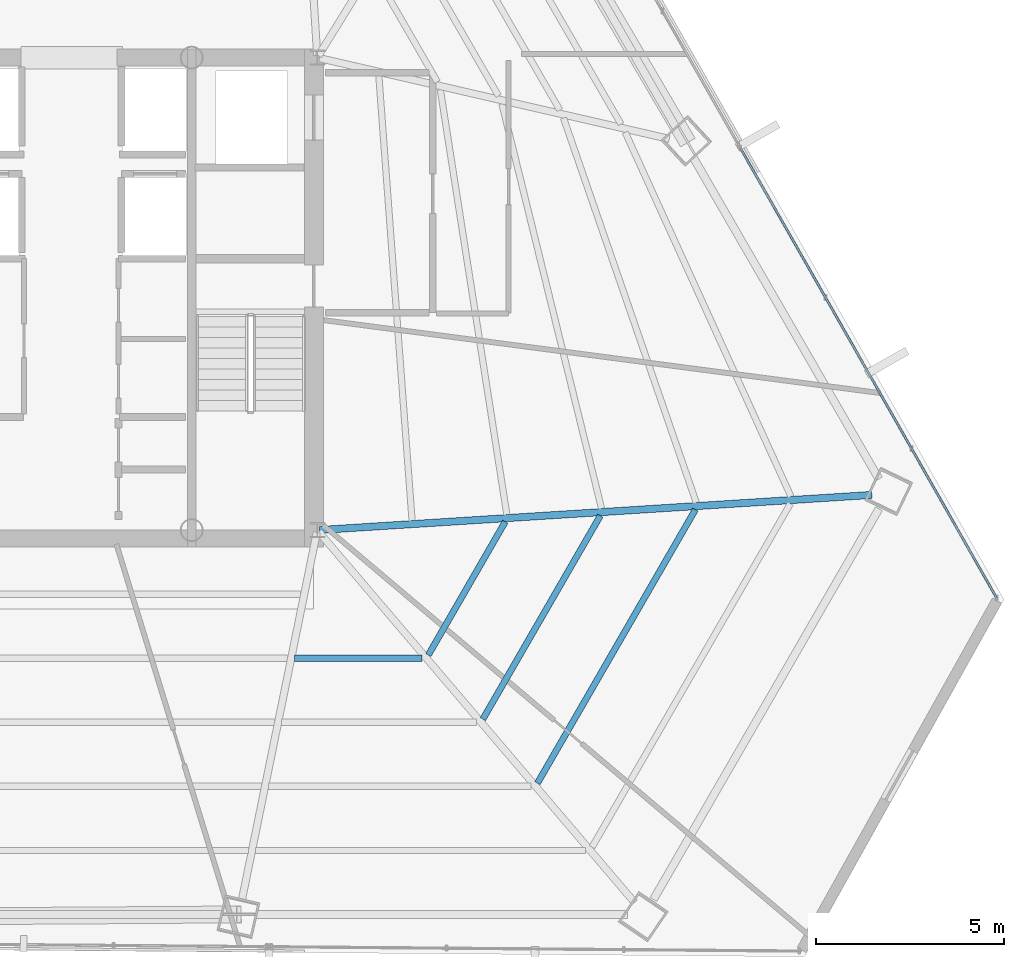
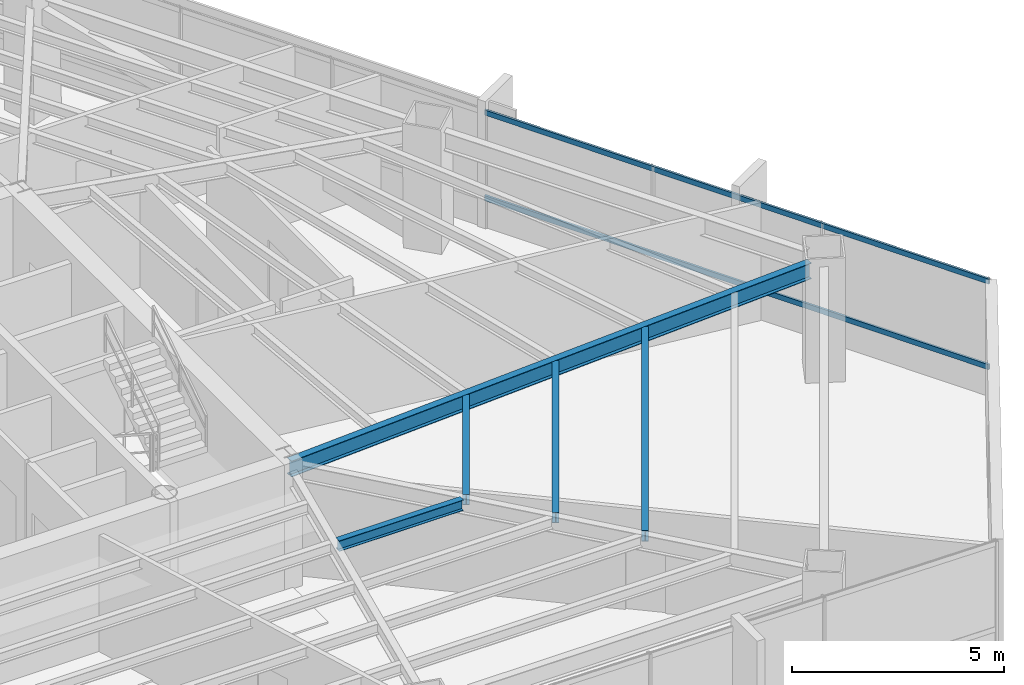
# One storey, part 20 of 39: 5 beams, 2 members, 1 element without a shape of its own.
"""IFC4 building model written with IfcOpenShell, lengths in metres."""

import ifcopenshell
import ifcopenshell.guid

model = None  # the IFC model being written
_history = None  # IfcOwnerHistory: only IFC2X3 demands one
_inside = {}  # id of a spatial element -> (the spatial element, [elements in it])
_under = {}  # id of a project, library or spatial element -> (it, [spatial elements below it])
_declared = {}  # id of a project -> (the project, [libraries it declares])
_typed = {}  # id of a type object -> (the type object, [elements of that type])
_made_of = {}  # id of a material, layer set ... -> (it, [elements and type objects made of it])


def new_model(schema):
    """Start an empty IFC model of exactly this schema.

    Asked for "IFC4X3", IfcOpenShell would pick the latest addendum, in which some entities
    have other attributes; the version numbers below select the first issue.
    IFC2X3 requires an IfcOwnerHistory on every rooted entity: one is made here for all.
    """
    global model, _history
    if schema == "IFC4X3":
        model = ifcopenshell.file(schema_version=(4, 3, 0, 0))
    else:
        model = ifcopenshell.file(schema=schema)
    _inside.clear()
    _under.clear()
    _declared.clear()
    _typed.clear()
    _made_of.clear()
    _history = None
    if model.schema == "IFC2X3":
        org = make("IfcOrganization", Name="unknown")
        user = make(
            "IfcPersonAndOrganization",
            ThePerson=make("IfcPerson", FamilyName="unknown"),
            TheOrganization=org,
        )
        app = make(
            "IfcApplication",
            ApplicationDeveloper=org,
            Version="unknown",
            ApplicationFullName="unknown",
            ApplicationIdentifier="unknown",
        )
        _history = make(
            "IfcOwnerHistory",
            OwningUser=user,
            OwningApplication=app,
            ChangeAction="ADDED",
            CreationDate=0,
        )
    return model


def make(cls, **values):
    """One entity of the class cls with the attributes given. An attribute that is None is left unset."""
    return model.create_entity(
        cls, **{name: value for name, value in values.items() if value is not None}
    )


def rooted(cls, **values):
    """An entity with a GlobalId (a new one), such as an element, a storey or a relation."""
    return make(cls, GlobalId=ifcopenshell.guid.new(), OwnerHistory=_history, **values)


def si_unit(unit_type, name, prefix=None):
    """IfcSIUnit, for example si_unit("LENGTHUNIT", "METRE", prefix="MILLI")."""
    return make("IfcSIUnit", UnitType=unit_type, Prefix=prefix, Name=name)


def assignment(units):
    """IfcUnitAssignment: the units of a project."""
    return None if units is None else make("IfcUnitAssignment", Units=units)


def point(xyz):
    """IfcCartesianPoint."""
    return None if xyz is None else make("IfcCartesianPoint", Coordinates=xyz)


def direction(xyz):
    """IfcDirection."""
    return None if xyz is None else make("IfcDirection", DirectionRatios=xyz)


def frame(location, z_axis=None, x_axis=None):
    """IfcAxis2Placement3D, a coordinate frame: its origin and axes. An axis left out is left unset."""
    return make(
        "IfcAxis2Placement3D",
        Location=point(location),
        Axis=direction(z_axis),
        RefDirection=direction(x_axis),
    )


def frame_2d(location, x_axis=None):
    """IfcAxis2Placement2D, a coordinate frame in the plane: its origin and x axis."""
    return make(
        "IfcAxis2Placement2D", Location=point(location), RefDirection=direction(x_axis)
    )


def origin():
    """The frame at (0, 0, 0) with its axes left unset."""
    return frame((0.0, 0.0, 0.0))


def origin_2d():
    """The frame at (0, 0) in the plane with its x axis left unset."""
    return frame_2d((0.0, 0.0))


def place(relative_to, where):
    """IfcLocalPlacement: puts the frame where relative to a parent placement (None: the world)."""
    return make(
        "IfcLocalPlacement", PlacementRelTo=relative_to, RelativePlacement=where
    )


def context(
    kind, dimensions, precision=None, world=None, true_north=None, identifier=None
):
    """IfcGeometricRepresentationContext, for example the 3D "Model" context."""
    return make(
        "IfcGeometricRepresentationContext",
        ContextIdentifier=identifier,
        ContextType=kind,
        CoordinateSpaceDimension=dimensions,
        Precision=precision,
        WorldCoordinateSystem=world,
        TrueNorth=true_north,
    )


def subcontext(parent, identifier, kind, view, scale=None):
    """IfcGeometricRepresentationSubContext, for example "Body" below "Model"."""
    return make(
        "IfcGeometricRepresentationSubContext",
        ContextIdentifier=identifier,
        ContextType=kind,
        ParentContext=parent,
        TargetScale=scale,
        TargetView=view,
    )


def project(units=None, contexts=None):
    """IfcProject with its units and contexts."""
    return rooted(
        "IfcProject",
        Name="project",
        RepresentationContexts=contexts,
        UnitsInContext=assignment(units),
    )


def spatial(cls, under=None, at=None, **own):
    """A site, building, storey or space (cls), placed at a placement, below another one or the project."""
    s = rooted(cls, ObjectPlacement=at, **own)
    if under is not None:
        _under.setdefault(under.id(), (under, []))[1].append(s)
    return s


def profile(cls, at=None, kind="AREA", **sizes):
    """A parametric profile (cls). Its sizes go by their IFC names, for example OverallWidth=200.0."""
    return make(cls, ProfileType=kind, Position=at, **sizes)


def hollow_rectangle(**sizes):
    """IfcRectangleHollowProfileDef."""
    return profile("IfcRectangleHollowProfileDef", **sizes)


def i_section(**sizes):
    """IfcIShapeProfileDef."""
    return profile("IfcIShapeProfileDef", **sizes)


def extrude(swept, where, along, depth):
    """IfcExtrudedAreaSolid: the profile swept, set in the frame where, extruded along a direction by depth."""
    return make(
        "IfcExtrudedAreaSolid",
        SweptArea=swept,
        Position=where,
        ExtrudedDirection=direction(along),
        Depth=depth,
    )


def shape(context_of_items, identifier, shape_type, items):
    """IfcShapeRepresentation: the items that make up one representation, for example the "Body"."""
    return make(
        "IfcShapeRepresentation",
        ContextOfItems=context_of_items,
        RepresentationIdentifier=identifier,
        RepresentationType=shape_type,
        Items=items,
    )


def source(mapping_origin, context_of_items, identifier, shape_type, items):
    """IfcRepresentationMap: a shape defined once, which mapped items show again and again."""
    return make(
        "IfcRepresentationMap",
        MappingOrigin=mapping_origin,
        MappedRepresentation=shape(context_of_items, identifier, shape_type, items),
    )


def transform(
    local_origin,
    x_axis=None,
    y_axis=None,
    z_axis=None,
    scale=None,
    scale2=None,
    scale3=None,
    uniform=True,
):
    """IfcCartesianTransformationOperator3D, or its non-uniform kind. x_axis, y_axis, z_axis: its Axis1, 2, 3."""
    if uniform:
        return make(
            "IfcCartesianTransformationOperator3D",
            Axis1=direction(x_axis),
            Axis2=direction(y_axis),
            LocalOrigin=point(local_origin),
            Scale=scale,
            Axis3=direction(z_axis),
        )
    return make(
        "IfcCartesianTransformationOperator3DnonUniform",
        Axis1=direction(x_axis),
        Axis2=direction(y_axis),
        LocalOrigin=point(local_origin),
        Scale=scale,
        Axis3=direction(z_axis),
        Scale2=scale2,
        Scale3=scale3,
    )


def mapped(mapping_source, mapping_target):
    """IfcMappedItem: shows the shape of a source again, moved by a transform."""
    return make(
        "IfcMappedItem", MappingSource=mapping_source, MappingTarget=mapping_target
    )


def material(Name=None, Category=None):
    """IfcMaterial."""
    return make("IfcMaterial", Name=Name, Category=Category)


def material_profile(
    of_material, cross_section, Name=None, Category=None, Priority=None
):
    """IfcMaterialProfile: a cross section and its material."""
    return make(
        "IfcMaterialProfile",
        Name=Name,
        Material=of_material,
        Profile=cross_section,
        Priority=Priority,
        Category=Category,
    )


def profile_set(profiles, Name=None, composite=None):
    """IfcMaterialProfileSet."""
    return make(
        "IfcMaterialProfileSet",
        Name=Name,
        MaterialProfiles=profiles,
        CompositeProfile=composite,
    )


def made_of(thing, what):
    """Note that an element or type object is made of a material, layer set ...; save() writes the relation."""
    if what is not None:
        _made_of.setdefault(what.id(), (what, []))[1].append(thing)
    return thing


def type_object(cls, material=None, **own):
    """A type object (cls), such as IfcWallType, which elements share."""
    return made_of(rooted(cls, **own), material)


def type_shapes(of_type, sources):
    """Give a type object the sources (RepresentationMaps) that its elements show as mapped items."""
    of_type.RepresentationMaps = sources


def element(
    cls,
    number,
    at=None,
    inside=None,
    cuts=None,
    type_object=None,
    material=None,
    context=None,
    identifier="Body",
    shape_type=None,
    held_by="IfcProductDefinitionShape",
    body=None,
    shapes=None,
    **own,
):
    """One element of the class cls, such as IfcWall. Its Tag is "e" and its number.

    at: its placement. inside: the storey or other place that contains it. cuts: it is an
    opening in that element (IfcRelVoidsElement). A single representation is given by context,
    identifier, shape_type and body (its items); several are given by shapes. held_by: the class
    of the entity that holds the representations. save() writes the other relations.
    """
    e = rooted(cls, Tag="e%d" % number, ObjectPlacement=at, **own)
    if body is not None:
        shapes = [shape(context, identifier, shape_type, body)]
    if shapes is not None:
        e.Representation = make(held_by, Representations=shapes)
    if inside is not None:
        _inside.setdefault(inside.id(), (inside, []))[1].append(e)
    if cuts is not None:
        rooted(
            "IfcRelVoidsElement", RelatingBuildingElement=cuts, RelatedOpeningElement=e
        )
    if type_object is not None:
        _typed.setdefault(type_object.id(), (type_object, []))[1].append(e)
    return made_of(e, material)


def aggregate(whole, parts):
    """IfcRelAggregates: a whole, such as a stair, and the parts it consists of."""
    return rooted("IfcRelAggregates", RelatingObject=whole, RelatedObjects=parts)


def save(model, path):
    """Write the relations noted so far, then the file.

    IfcRelAggregates (storeys below a building ...), IfcRelContainedInSpatialStructure (elements
    in a storey), IfcRelDefinesByType, IfcRelAssociatesMaterial and IfcRelDeclares: one each for
    every whole, place, type object, material and project.
    """
    for whole, parts in _under.values():
        aggregate(whole, parts)
    for where, things in _inside.values():
        rooted(
            "IfcRelContainedInSpatialStructure",
            RelatedElements=things,
            RelatingStructure=where,
        )
    for kind, things in _typed.values():
        rooted("IfcRelDefinesByType", RelatedObjects=things, RelatingType=kind)
    for what, things in _made_of.values():
        rooted("IfcRelAssociatesMaterial", RelatedObjects=things, RelatingMaterial=what)
    for by, libraries in _declared.values():
        rooted("IfcRelDeclares", RelatingContext=by, RelatedDefinitions=libraries)
    model.write(path)


model = new_model("IFC4")

# Units and contexts
model_context = context("Model", 3, precision=1e-05, world=origin(), true_north=direction((0.0, 1.0)))
body_context = subcontext(model_context, "Body", "Model", "MODEL_VIEW")
ifc_project = project(units=[si_unit("LENGTHUNIT", "METRE"), si_unit("AREAUNIT", "SQUARE_METRE"), si_unit("VOLUMEUNIT", "CUBIC_METRE"), si_unit("PLANEANGLEUNIT", "RADIAN"), si_unit("MASSUNIT", "GRAM", prefix="KILO")], contexts=[model_context])

# Site, building, storey
site_placement = place(None, origin())
site = spatial("IfcSite", under=ifc_project, at=site_placement, CompositionType="ELEMENT")
building_placement = place(site_placement, origin())
building = spatial("IfcBuilding", under=site, at=building_placement, Name="Caelisora Broadcast Tower", CompositionType="ELEMENT")
storey_placement = place(building_placement, frame((0.0, 0.0, 142.75)))
storey = spatial("IfcBuildingStorey", under=building, at=storey_placement, Name="L37", CompositionType="ELEMENT", Elevation=142.75)

# Beams
ifc_material_1 = material(Name="Steel Grade 350 (AS/NZS 3679.1)", Category="steel")
ifc_material_profile_1 = material_profile(ifc_material_1, i_section(OverallWidth=0.19091796875, OverallDepth=0.46044921875, WebThickness=0.010009765625, FlangeThickness=0.01611328125, at=origin_2d()), Name="Steel Grade 350 (AS/NZS 3679.1)")
ifc_profile_set_1 = profile_set([ifc_material_profile_1], Name="Steel Grade 350 (AS/NZS 3679.1)")
beam_type_1 = type_object("IfcBeamType", Name="PG06", PredefinedType="BEAM", material=ifc_profile_set_1)
shared_shape_1 = source(origin(), body_context, "Body", "SweptSolid", [
    extrude(i_section(OverallWidth=0.19091796875, OverallDepth=0.46044921875, WebThickness=0.010009765625, FlangeThickness=0.01611328125, at=origin_2d()), origin(), (0.0, 0.0, 1.0), 14.7568359375),
])
type_shapes(beam_type_1, [shared_shape_1])
beam_1_placement = place(storey_placement, frame((45.559814453125, 17.40380859375, 3.169921875), z_axis=(0.997989373052, 0.063381474224, 0.0), x_axis=(-0.063381474224, 0.997989373052, 0.0)))
element("IfcBeam", 1, at=beam_1_placement, inside=storey, type_object=beam_type_1, Name="L37 beam PG06", PredefinedType="BEAM", context=body_context, shape_type="MappedRepresentation", body=[
    mapped(shared_shape_1, transform((0.0, 0.0, 0.0), scale=1.0)),
])
ifc_material_profile_2 = material_profile(ifc_material_1, i_section(OverallWidth=0.166015625, OverallDepth=0.30712890625, WebThickness=0.006591796875, FlangeThickness=0.01171875, at=origin_2d()), Name="Steel Grade 350 (AS/NZS 3679.1)")
ifc_profile_set_2 = profile_set([ifc_material_profile_2], Name="Steel Grade 350 (AS/NZS 3679.1)")
beam_type_2 = type_object("IfcBeamType", Name="SB03", PredefinedType="JOIST", material=ifc_profile_set_2)
shared_shape_2 = source(origin(), body_context, "Body", "SweptSolid", [
    extrude(i_section(OverallWidth=0.166015625, OverallDepth=0.30712890625, WebThickness=0.006591796875, FlangeThickness=0.01171875, at=origin_2d()), origin(), (0.0, 0.0, 1.0), 4.105712890625),
])
beam_2_placement = place(storey_placement, frame((48.4599609375, 14.069580078125, 3.246337890625), z_axis=(0.499976393034, 0.866039032844, 0.0), x_axis=(-0.866039032844, 0.499976393034, 0.0)))
element("IfcBeam", 2, at=beam_2_placement, inside=storey, type_object=beam_type_2, Name="L37 beam SB03", PredefinedType="JOIST", context=body_context, shape_type="MappedRepresentation", body=[
    mapped(shared_shape_2, transform((0.0, 0.0, 0.0), scale=1.0)),
])
shared_shape_3 = source(origin(), body_context, "Body", "SweptSolid", [
    extrude(i_section(OverallWidth=0.166015625, OverallDepth=0.30712890625, WebThickness=0.006591796875, FlangeThickness=0.01171875, at=origin_2d()), origin(), (0.0, 0.0, 1.0), 6.263427734375),
])
beam_3_placement = place(storey_placement, frame((49.915283203125, 12.36181640625, 3.246337890625), z_axis=(0.50001262068, 0.866018117109, 0.0), x_axis=(-0.866018117109, 0.50001262068, 0.0)))
element("IfcBeam", 3, at=beam_3_placement, inside=storey, type_object=beam_type_2, Name="L37 beam SB03", PredefinedType="JOIST", context=body_context, shape_type="MappedRepresentation", body=[
    mapped(shared_shape_3, transform((0.0, 0.0, 0.0), scale=1.0)),
])
shared_shape_4 = source(origin(), body_context, "Body", "SweptSolid", [
    extrude(i_section(OverallWidth=0.166015625, OverallDepth=0.30712890625, WebThickness=0.006591796875, FlangeThickness=0.01171875, at=origin_2d()), origin(), (0.0, 0.0, 1.0), 8.421142578125),
])
beam_4_placement = place(storey_placement, frame((51.370849609375, 10.654052734375, 3.246337890625), z_axis=(0.500008539841, 0.866020473249, 0.0), x_axis=(-0.866020473249, 0.500008539841, 0.0)))
element("IfcBeam", 4, at=beam_4_placement, inside=storey, type_object=beam_type_2, Name="L37 beam SB03", PredefinedType="JOIST", context=body_context, shape_type="MappedRepresentation", body=[
    mapped(shared_shape_4, transform((0.0, 0.0, 0.0), scale=1.0)),
])
shared_shape_5 = source(origin(), body_context, "Body", "SweptSolid", [
    extrude(i_section(OverallWidth=0.166015625, OverallDepth=0.30712890625, WebThickness=0.006591796875, FlangeThickness=0.01171875, at=origin_2d()), origin(), (0.0, 0.0, 1.0), 3.39013671875),
])
type_shapes(beam_type_2, [shared_shape_2, shared_shape_3, shared_shape_4, shared_shape_5])
beam_5_placement = place(storey_placement, frame((44.898193359375, 13.984375, 3.246337890625), z_axis=(1.0, 0.0, 0.0), x_axis=(0.0, 1.0, 0.0)))
element("IfcBeam", 5, at=beam_5_placement, inside=storey, type_object=beam_type_2, Name="L37 beam SB03", PredefinedType="JOIST", context=body_context, shape_type="MappedRepresentation", body=[
    mapped(shared_shape_5, transform((0.0, 0.0, 0.0), scale=1.0)),
])

# Curtain wall, members
ifc_material_2 = material(Name="Unitised Aluminium and Low-E Glass Curtain Wall", Category="glass")
curtain_wall_type = type_object("IfcCurtainWallType", Name="CW-Z3", PredefinedType="NOTDEFINED", material=ifc_material_2)
curtain_wall_placement = place(storey_placement, origin())
curtain_wall = element("IfcCurtainWall", 6, at=curtain_wall_placement, inside=storey, type_object=curtain_wall_type, Name="L37 curtain wall CW-Z3", PredefinedType="NOTDEFINED")
ifc_material_3 = material(Name="Aluminium 6063-T6 Anodised Terracotta Bronze", Category="aluminium")
ifc_material_profile_3 = material_profile(ifc_material_3, hollow_rectangle(XDim=0.06005859375, YDim=0.14990234375, WallThickness=0.00341796875, at=origin_2d()), Name="Aluminium 6063-T6 Anodised Terracotta Bronze")
ifc_profile_set_3 = profile_set([ifc_material_profile_3], Name="Aluminium 6063-T6 Anodised Terracotta Bronze")
member_type = type_object("IfcMemberType", Name="CWT-02", PredefinedType="USERDEFINED", material=ifc_profile_set_3)
shared_shape_6 = source(origin(), body_context, "Body", "SweptSolid", [
    extrude(hollow_rectangle(XDim=0.06005859375, YDim=0.14990234375, WallThickness=0.00341796875, at=origin_2d()), origin(), (0.0, 0.0, 1.0), 13.807373046875),
])
type_shapes(member_type, [shared_shape_6])
member_1_placement = place(storey_placement, frame((56.781005859375, 27.59033203125, 0.85009765625), z_axis=(0.494894993265, -0.868952786774, 0.0), x_axis=(0.868952786774, 0.494894993265, 0.0)))
member_1 = element("IfcMember", 7, at=member_1_placement, type_object=member_type, Name="L37-CW-B03 transom #1", ObjectType="TRANSOM", PredefinedType="USERDEFINED", context=body_context, shape_type="MappedRepresentation", body=[
    mapped(shared_shape_6, transform((0.0, 0.0, 0.0), scale=1.0)),
])
member_2_placement = place(storey_placement, frame((56.781005859375, 27.59033203125, 3.320068359375), z_axis=(0.494894993265, -0.868952786774, 0.0), x_axis=(0.868952786774, 0.494894993265, 0.0)))
member_2 = element("IfcMember", 8, at=member_2_placement, type_object=member_type, Name="L37-CW-B03 transom #2", ObjectType="TRANSOM", PredefinedType="USERDEFINED", context=body_context, shape_type="MappedRepresentation", body=[
    mapped(shared_shape_6, transform((0.0, 0.0, 0.0), scale=1.0)),
])
aggregate(curtain_wall, [member_1, member_2])

save(model, "model.ifc")
